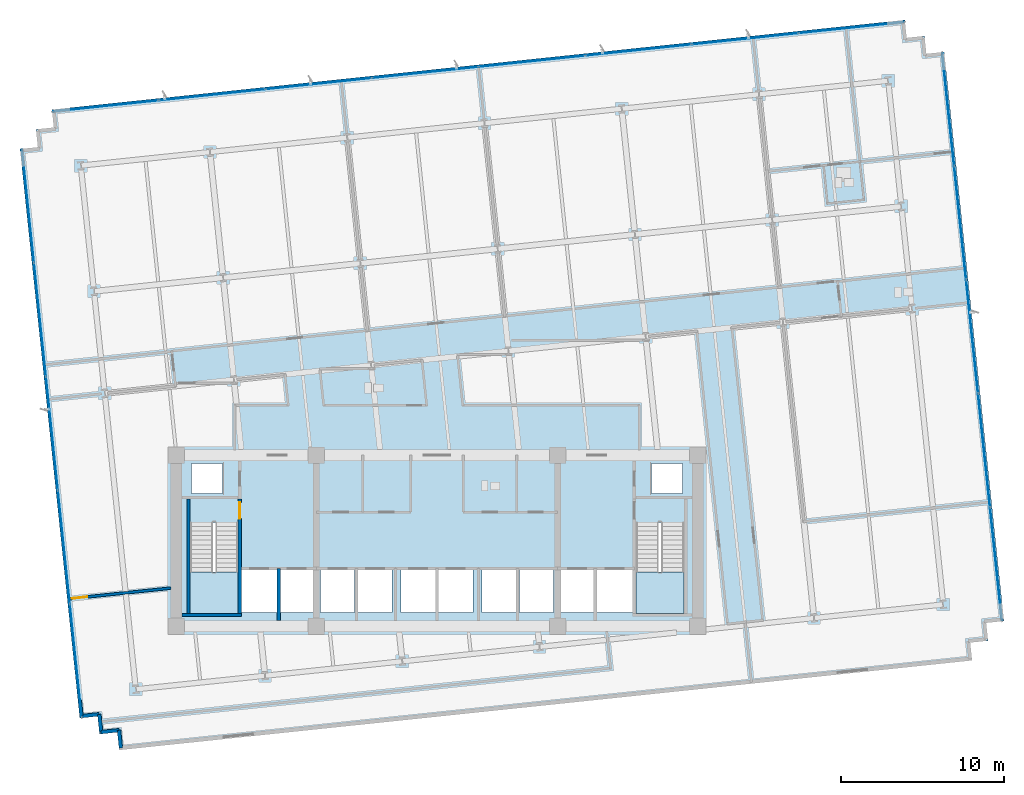
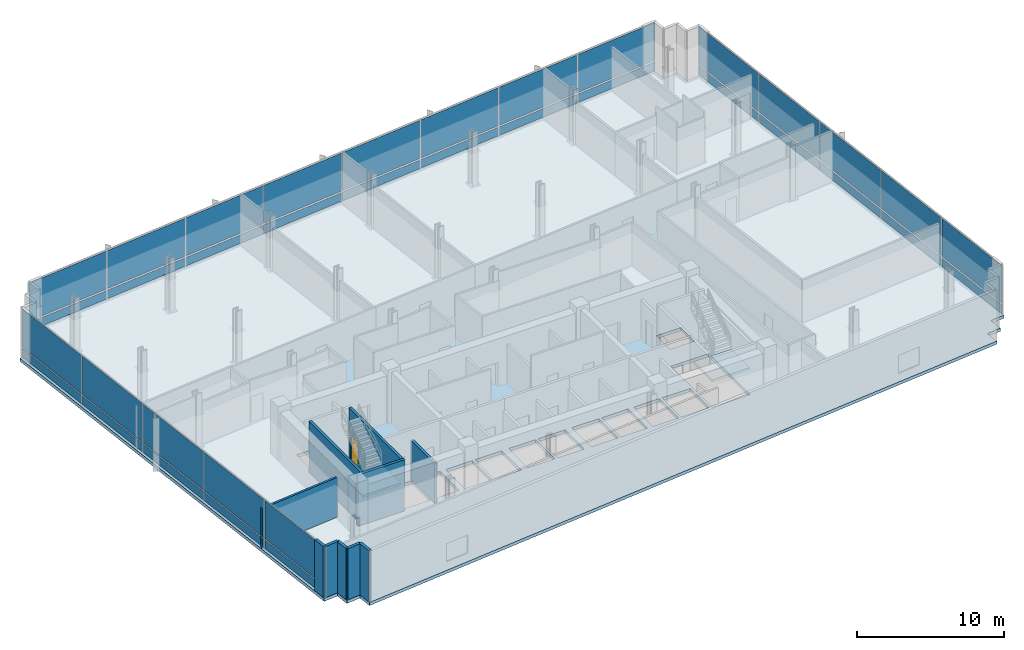
# One storey, part 11 of 20: 36 plates, 10 walls, 3 slabs, 2 doors, 2 openings, 5 elements without a shape of their own.
"""IFC4 building model written with IfcOpenShell, lengths in metres."""

from ifc_helpers import new_model, si_unit, direction, frame, frame_2d, origin, origin_2d, place, context, subcontext, project, spatial, polyline, rectangle, outline, extrude, material, layer, layer_set, type_object, element, fill, aggregate, save


model = new_model("IFC4")

# Units and contexts
model_context = context("Model", 3, precision=1e-05, world=origin(), true_north=direction((0.0, 1.0)))
body_context = subcontext(model_context, "Body", "Model", "MODEL_VIEW")
ifc_project = project(units=[si_unit("LENGTHUNIT", "METRE"), si_unit("AREAUNIT", "SQUARE_METRE"), si_unit("VOLUMEUNIT", "CUBIC_METRE"), si_unit("PLANEANGLEUNIT", "RADIAN"), si_unit("MASSUNIT", "GRAM", prefix="KILO")], contexts=[model_context])

# Site, building, storey
site_placement = place(None, origin())
site = spatial("IfcSite", under=ifc_project, at=site_placement, CompositionType="ELEMENT")
building_placement = place(site_placement, origin())
building = spatial("IfcBuilding", under=site, at=building_placement, Name="Solmavex Isthmus Hotel", CompositionType="ELEMENT")
storey_placement = place(building_placement, frame((0.0, 0.0, 101.85009765625)))
storey = spatial("IfcBuildingStorey", under=building, at=storey_placement, Name="L27", CompositionType="ELEMENT", Elevation=101.85009765625)

# Curtain wall, plates
ifc_material_1 = material(Name="Aluminium alloy 6063-T6", Category="aluminium")
curtain_wall_type = type_object("IfcCurtainWallType", Name="CW-SYS-05", PredefinedType="NOTDEFINED", material=ifc_material_1)
curtain_wall_1_placement = place(storey_placement, origin())
curtain_wall_1 = element("IfcCurtainWall", 1, at=curtain_wall_1_placement, inside=storey, type_object=curtain_wall_type, Name="Stick Curtain Wall CWL-L27-N1", PredefinedType="NOTDEFINED")
ifc_material_2 = material(Name="Clear low-E laminated glass", Category="glass")
ifc_layer_1 = layer(ifc_material_2, 0.0380859375)
ifc_layer_set_1 = layer_set([ifc_layer_1], Name="Clear low-E laminated glass")
plate_type = type_object("IfcPlateType", Name="CW-SYS-05-PNL", PredefinedType="CURTAIN_PANEL", material=ifc_layer_set_1)
plate_1_placement = place(storey_placement, frame((-20.322265625, 18.918701171875, 0.125), z_axis=(0.0, 0.0, 1.0), x_axis=(0.994521909182, 0.104528331835, 0.0)))
plate_1 = element("IfcPlate", 2, at=plate_1_placement, type_object=plate_type, Name="CW-05 panel 1.1", PredefinedType="CURTAIN_PANEL", context=body_context, shape_type="SweptSolid", body=[
    extrude(rectangle(XDim=6.4775390625, YDim=0.0380859375, at=origin_2d()), origin(), (0.0, 0.0, 1.0), 0.71240234375),
])
plate_2_placement = place(storey_placement, frame((-20.322265625, 18.918701171875, 0.96240234375), z_axis=(0.0, 0.0, 1.0), x_axis=(0.994521909182, 0.104528331835, 0.0)))
plate_2 = element("IfcPlate", 3, at=plate_2_placement, type_object=plate_type, Name="CW-05 panel 1.2", PredefinedType="CURTAIN_PANEL", context=body_context, shape_type="SweptSolid", body=[
    extrude(rectangle(XDim=6.4775390625, YDim=0.0380859375, at=origin_2d()), origin(), (0.0, 0.0, 1.0), 3.152587890625),
])
plate_3_placement = place(storey_placement, frame((-13.79931640625, 19.604248046875, 0.125), z_axis=(0.0, 0.0, 1.0), x_axis=(0.994521909182, 0.104528331835, 0.0)))
plate_3 = element("IfcPlate", 4, at=plate_3_placement, type_object=plate_type, Name="CW-05 panel 2.1", PredefinedType="CURTAIN_PANEL", context=body_context, shape_type="SweptSolid", body=[
    extrude(rectangle(XDim=6.510009765625, YDim=0.0380859375, at=origin_2d()), origin(), (0.0, 0.0, 1.0), 0.71240234375),
])
plate_4_placement = place(storey_placement, frame((-13.79931640625, 19.604248046875, 0.96240234375), z_axis=(0.0, 0.0, 1.0), x_axis=(0.994521909182, 0.104528331835, 0.0)))
plate_4 = element("IfcPlate", 5, at=plate_4_placement, type_object=plate_type, Name="CW-05 panel 2.2", PredefinedType="CURTAIN_PANEL", context=body_context, shape_type="SweptSolid", body=[
    extrude(rectangle(XDim=6.510009765625, YDim=0.0380859375, at=origin_2d()), origin(), (0.0, 0.0, 1.0), 3.152587890625),
])
plate_5_placement = place(storey_placement, frame((-7.26025390625, 20.29150390625, 0.125), z_axis=(0.0, 0.0, 1.0), x_axis=(0.994521909182, 0.104528331835, 0.0)))
plate_5 = element("IfcPlate", 6, at=plate_5_placement, type_object=plate_type, Name="CW-05 panel 3.1", PredefinedType="CURTAIN_PANEL", context=body_context, shape_type="SweptSolid", body=[
    extrude(rectangle(XDim=6.510009765625, YDim=0.0380859375, at=origin_2d()), origin(), (0.0, 0.0, 1.0), 0.71240234375),
])
plate_6_placement = place(storey_placement, frame((-7.26025390625, 20.29150390625, 0.96240234375), z_axis=(0.0, 0.0, 1.0), x_axis=(0.994521909182, 0.104528331835, 0.0)))
plate_6 = element("IfcPlate", 7, at=plate_6_placement, type_object=plate_type, Name="CW-05 panel 3.2", PredefinedType="CURTAIN_PANEL", context=body_context, shape_type="SweptSolid", body=[
    extrude(rectangle(XDim=6.510009765625, YDim=0.0380859375, at=origin_2d()), origin(), (0.0, 0.0, 1.0), 3.152587890625),
])
plate_7_placement = place(storey_placement, frame((-0.721435546875, 20.978759765625, 0.125), z_axis=(0.0, 0.0, 1.0), x_axis=(0.994521909182, 0.104528331835, 0.0)))
plate_7 = element("IfcPlate", 8, at=plate_7_placement, type_object=plate_type, Name="CW-05 panel 4.1", PredefinedType="CURTAIN_PANEL", context=body_context, shape_type="SweptSolid", body=[
    extrude(rectangle(XDim=6.510009765625, YDim=0.0380859375, at=origin_2d()), origin(), (0.0, 0.0, 1.0), 0.71240234375),
])
plate_8_placement = place(storey_placement, frame((-0.721435546875, 20.978759765625, 0.96240234375), z_axis=(0.0, 0.0, 1.0), x_axis=(0.994521909182, 0.104528331835, 0.0)))
plate_8 = element("IfcPlate", 9, at=plate_8_placement, type_object=plate_type, Name="CW-05 panel 4.2", PredefinedType="CURTAIN_PANEL", context=body_context, shape_type="SweptSolid", body=[
    extrude(rectangle(XDim=6.510009765625, YDim=0.0380859375, at=origin_2d()), origin(), (0.0, 0.0, 1.0), 3.152587890625),
])
plate_9_placement = place(storey_placement, frame((5.817626953125, 21.666015625, 0.125), z_axis=(0.0, 0.0, 1.0), x_axis=(0.994521909182, 0.104528331835, 0.0)))
plate_9 = element("IfcPlate", 10, at=plate_9_placement, type_object=plate_type, Name="CW-05 panel 5.1", PredefinedType="CURTAIN_PANEL", context=body_context, shape_type="SweptSolid", body=[
    extrude(rectangle(XDim=6.510009765625, YDim=0.0380859375, at=origin_2d()), origin(), (0.0, 0.0, 1.0), 0.71240234375),
])
plate_10_placement = place(storey_placement, frame((5.817626953125, 21.666015625, 0.96240234375), z_axis=(0.0, 0.0, 1.0), x_axis=(0.994521909182, 0.104528331835, 0.0)))
plate_10 = element("IfcPlate", 11, at=plate_10_placement, type_object=plate_type, Name="CW-05 panel 5.2", PredefinedType="CURTAIN_PANEL", context=body_context, shape_type="SweptSolid", body=[
    extrude(rectangle(XDim=6.510009765625, YDim=0.0380859375, at=origin_2d()), origin(), (0.0, 0.0, 1.0), 3.152587890625),
])
plate_11_placement = place(storey_placement, frame((12.356689453125, 22.353271484375, 0.125), z_axis=(0.0, 0.0, 1.0), x_axis=(0.994521909182, 0.104528331835, 0.0)))
plate_11 = element("IfcPlate", 12, at=plate_11_placement, type_object=plate_type, Name="CW-05 panel 6.1", PredefinedType="CURTAIN_PANEL", context=body_context, shape_type="SweptSolid", body=[
    extrude(rectangle(XDim=6.510009765625, YDim=0.0380859375, at=origin_2d()), origin(), (0.0, 0.0, 1.0), 0.71240234375),
])
plate_12_placement = place(storey_placement, frame((12.356689453125, 22.353271484375, 0.96240234375), z_axis=(0.0, 0.0, 1.0), x_axis=(0.994521909182, 0.104528331835, 0.0)))
plate_12 = element("IfcPlate", 13, at=plate_12_placement, type_object=plate_type, Name="CW-05 panel 6.2", PredefinedType="CURTAIN_PANEL", context=body_context, shape_type="SweptSolid", body=[
    extrude(rectangle(XDim=6.510009765625, YDim=0.0380859375, at=origin_2d()), origin(), (0.0, 0.0, 1.0), 3.152587890625),
])
plate_13_placement = place(storey_placement, frame((18.8955078125, 23.04052734375, 0.125), z_axis=(0.0, 0.0, 1.0), x_axis=(0.994521909182, 0.104528331835, 0.0)))
plate_13 = element("IfcPlate", 14, at=plate_13_placement, type_object=plate_type, Name="CW-05 panel 7.1", PredefinedType="CURTAIN_PANEL", context=body_context, shape_type="SweptSolid", body=[
    extrude(rectangle(XDim=6.510009765625, YDim=0.0380859375, at=origin_2d()), origin(), (0.0, 0.0, 1.0), 0.71240234375),
])
plate_14_placement = place(storey_placement, frame((18.8955078125, 23.04052734375, 0.96240234375), z_axis=(0.0, 0.0, 1.0), x_axis=(0.994521909182, 0.104528331835, 0.0)))
plate_14 = element("IfcPlate", 15, at=plate_14_placement, type_object=plate_type, Name="CW-05 panel 7.2", PredefinedType="CURTAIN_PANEL", context=body_context, shape_type="SweptSolid", body=[
    extrude(rectangle(XDim=6.510009765625, YDim=0.0380859375, at=origin_2d()), origin(), (0.0, 0.0, 1.0), 3.152587890625),
])
plate_15_placement = place(storey_placement, frame((25.41845703125, 23.726318359375, 0.125), z_axis=(0.0, 0.0, 1.0), x_axis=(0.994521909182, 0.104528331835, 0.0)))
plate_15 = element("IfcPlate", 16, at=plate_15_placement, type_object=plate_type, Name="CW-05 panel 8.1", PredefinedType="CURTAIN_PANEL", context=body_context, shape_type="SweptSolid", body=[
    extrude(rectangle(XDim=6.4775390625, YDim=0.0380859375, at=origin_2d()), origin(), (0.0, 0.0, 1.0), 0.71240234375),
])
plate_16_placement = place(storey_placement, frame((25.41845703125, 23.726318359375, 0.96240234375), z_axis=(0.0, 0.0, 1.0), x_axis=(0.994521909182, 0.104528331835, 0.0)))
plate_16 = element("IfcPlate", 17, at=plate_16_placement, type_object=plate_type, Name="CW-05 panel 8.2", PredefinedType="CURTAIN_PANEL", context=body_context, shape_type="SweptSolid", body=[
    extrude(rectangle(XDim=6.4775390625, YDim=0.0380859375, at=origin_2d()), origin(), (0.0, 0.0, 1.0), 3.152587890625),
])
aggregate(curtain_wall_1, [plate_1, plate_2, plate_3, plate_4, plate_5, plate_6, plate_7, plate_8, plate_9, plate_10, plate_11, plate_12, plate_13, plate_14, plate_15, plate_16])

curtain_wall_2_placement = place(storey_placement, origin())
curtain_wall_2 = element("IfcCurtainWall", 18, at=curtain_wall_2_placement, inside=storey, type_object=curtain_wall_type, Name="Stick Curtain Wall CWL-L27-W1", PredefinedType="NOTDEFINED")
plate_17_placement = place(storey_placement, frame((-22.15869140625, -15.113525390625, 0.125), z_axis=(0.0, 0.0, 1.0), x_axis=(-0.104528485381, 0.994521893044, 0.0)))
plate_17 = element("IfcPlate", 19, at=plate_17_placement, type_object=plate_type, Name="CW-05 panel 1.1", PredefinedType="CURTAIN_PANEL", context=body_context, shape_type="SweptSolid", body=[
    extrude(rectangle(XDim=6.922607421875, YDim=0.0380859375, at=origin_2d()), origin(), (0.0, 0.0, 1.0), 0.71240234375),
])
plate_18_placement = place(storey_placement, frame((-22.15869140625, -15.113525390625, 0.96240234375), z_axis=(0.0, 0.0, 1.0), x_axis=(-0.104528485381, 0.994521893044, 0.0)))
plate_18 = element("IfcPlate", 20, at=plate_18_placement, type_object=plate_type, Name="CW-05 panel 1.2", PredefinedType="CURTAIN_PANEL", context=body_context, shape_type="SweptSolid", body=[
    extrude(rectangle(XDim=6.922607421875, YDim=0.0380859375, at=origin_2d()), origin(), (0.0, 0.0, 1.0), 3.152587890625),
])
plate_19_placement = place(storey_placement, frame((-22.890625, -8.14794921875, 0.125), z_axis=(0.0, 0.0, 1.0), x_axis=(-0.104528485381, 0.994521893044, 0.0)))
plate_19 = element("IfcPlate", 21, at=plate_19_placement, type_object=plate_type, Name="CW-05 panel 2.1", PredefinedType="CURTAIN_PANEL", context=body_context, shape_type="SweptSolid", body=[
    extrude(rectangle(XDim=6.955078125, YDim=0.0380859375, at=origin_2d()), origin(), (0.0, 0.0, 1.0), 0.71240234375),
])
plate_20_placement = place(storey_placement, frame((-22.890625, -8.14794921875, 0.96240234375), z_axis=(0.0, 0.0, 1.0), x_axis=(-0.104528485381, 0.994521893044, 0.0)))
plate_20 = element("IfcPlate", 22, at=plate_20_placement, type_object=plate_type, Name="CW-05 panel 2.2", PredefinedType="CURTAIN_PANEL", context=body_context, shape_type="SweptSolid", body=[
    extrude(rectangle(XDim=6.955078125, YDim=0.0380859375, at=origin_2d()), origin(), (0.0, 0.0, 1.0), 3.152587890625),
])
plate_21_placement = place(storey_placement, frame((-23.62451171875, -1.16650390625, 0.125), z_axis=(0.0, 0.0, 1.0), x_axis=(-0.104528485381, 0.994521893044, 0.0)))
plate_21 = element("IfcPlate", 23, at=plate_21_placement, type_object=plate_type, Name="CW-05 panel 3.1", PredefinedType="CURTAIN_PANEL", context=body_context, shape_type="SweptSolid", body=[
    extrude(rectangle(XDim=6.955078125, YDim=0.0380859375, at=origin_2d()), origin(), (0.0, 0.0, 1.0), 0.71240234375),
])
plate_22_placement = place(storey_placement, frame((-23.62451171875, -1.16650390625, 0.96240234375), z_axis=(0.0, 0.0, 1.0), x_axis=(-0.104528485381, 0.994521893044, 0.0)))
plate_22 = element("IfcPlate", 24, at=plate_22_placement, type_object=plate_type, Name="CW-05 panel 3.2", PredefinedType="CURTAIN_PANEL", context=body_context, shape_type="SweptSolid", body=[
    extrude(rectangle(XDim=6.955078125, YDim=0.0380859375, at=origin_2d()), origin(), (0.0, 0.0, 1.0), 3.152587890625),
])
plate_23_placement = place(storey_placement, frame((-24.3583984375, 5.81494140625, 0.125), z_axis=(0.0, 0.0, 1.0), x_axis=(-0.104528485381, 0.994521893044, 0.0)))
plate_23 = element("IfcPlate", 25, at=plate_23_placement, type_object=plate_type, Name="CW-05 panel 4.1", PredefinedType="CURTAIN_PANEL", context=body_context, shape_type="SweptSolid", body=[
    extrude(rectangle(XDim=6.955078125, YDim=0.0380859375, at=origin_2d()), origin(), (0.0, 0.0, 1.0), 0.71240234375),
])
plate_24_placement = place(storey_placement, frame((-24.3583984375, 5.81494140625, 0.96240234375), z_axis=(0.0, 0.0, 1.0), x_axis=(-0.104528485381, 0.994521893044, 0.0)))
plate_24 = element("IfcPlate", 26, at=plate_24_placement, type_object=plate_type, Name="CW-05 panel 4.2", PredefinedType="CURTAIN_PANEL", context=body_context, shape_type="SweptSolid", body=[
    extrude(rectangle(XDim=6.955078125, YDim=0.0380859375, at=origin_2d()), origin(), (0.0, 0.0, 1.0), 3.152587890625),
])
plate_25_placement = place(storey_placement, frame((-25.09033203125, 12.780517578125, 0.125), z_axis=(0.0, 0.0, 1.0), x_axis=(-0.104528485381, 0.994521893044, 0.0)))
plate_25 = element("IfcPlate", 27, at=plate_25_placement, type_object=plate_type, Name="CW-05 panel 5.1", PredefinedType="CURTAIN_PANEL", context=body_context, shape_type="SweptSolid", body=[
    extrude(rectangle(XDim=6.922607421875, YDim=0.0380859375, at=origin_2d()), origin(), (0.0, 0.0, 1.0), 0.71240234375),
])
plate_26_placement = place(storey_placement, frame((-25.09033203125, 12.780517578125, 0.96240234375), z_axis=(0.0, 0.0, 1.0), x_axis=(-0.104528485381, 0.994521893044, 0.0)))
plate_26 = element("IfcPlate", 28, at=plate_26_placement, type_object=plate_type, Name="CW-05 panel 5.2", PredefinedType="CURTAIN_PANEL", context=body_context, shape_type="SweptSolid", body=[
    extrude(rectangle(XDim=6.922607421875, YDim=0.0380859375, at=origin_2d()), origin(), (0.0, 0.0, 1.0), 3.152587890625),
])
aggregate(curtain_wall_2, [plate_17, plate_18, plate_19, plate_20, plate_21, plate_22, plate_23, plate_24, plate_25, plate_26])

curtain_wall_3_placement = place(storey_placement, origin())
curtain_wall_3 = element("IfcCurtainWall", 29, at=curtain_wall_3_placement, inside=storey, type_object=curtain_wall_type, Name="Stick Curtain Wall CWL-L27-E1", PredefinedType="NOTDEFINED")
plate_27_placement = place(storey_placement, frame((34.29052734375, -9.180419921875, 0.125), z_axis=(0.0, 0.0, 1.0), x_axis=(-0.104528485381, 0.994521893044, 0.0)))
plate_27 = element("IfcPlate", 30, at=plate_27_placement, type_object=plate_type, Name="CW-05 panel 1.1", PredefinedType="CURTAIN_PANEL", context=body_context, shape_type="SweptSolid", body=[
    extrude(rectangle(XDim=6.922607421875, YDim=0.0380859375, at=origin_2d()), origin(), (0.0, 0.0, 1.0), 0.71240234375),
])
plate_28_placement = place(storey_placement, frame((34.29052734375, -9.180419921875, 0.96240234375), z_axis=(0.0, 0.0, 1.0), x_axis=(-0.104528485381, 0.994521893044, 0.0)))
plate_28 = element("IfcPlate", 31, at=plate_28_placement, type_object=plate_type, Name="CW-05 panel 1.2", PredefinedType="CURTAIN_PANEL", context=body_context, shape_type="SweptSolid", body=[
    extrude(rectangle(XDim=6.922607421875, YDim=0.0380859375, at=origin_2d()), origin(), (0.0, 0.0, 1.0), 3.152587890625),
])
plate_29_placement = place(storey_placement, frame((33.558349609375, -2.215087890625, 0.125), z_axis=(0.0, 0.0, 1.0), x_axis=(-0.104528485381, 0.994521893044, 0.0)))
plate_29 = element("IfcPlate", 32, at=plate_29_placement, type_object=plate_type, Name="CW-05 panel 2.1", PredefinedType="CURTAIN_PANEL", context=body_context, shape_type="SweptSolid", body=[
    extrude(rectangle(XDim=6.955078125, YDim=0.0380859375, at=origin_2d()), origin(), (0.0, 0.0, 1.0), 0.71240234375),
])
plate_30_placement = place(storey_placement, frame((33.558349609375, -2.215087890625, 0.96240234375), z_axis=(0.0, 0.0, 1.0), x_axis=(-0.104528485381, 0.994521893044, 0.0)))
plate_30 = element("IfcPlate", 33, at=plate_30_placement, type_object=plate_type, Name="CW-05 panel 2.2", PredefinedType="CURTAIN_PANEL", context=body_context, shape_type="SweptSolid", body=[
    extrude(rectangle(XDim=6.955078125, YDim=0.0380859375, at=origin_2d()), origin(), (0.0, 0.0, 1.0), 3.152587890625),
])
plate_31_placement = place(storey_placement, frame((32.824462890625, 4.7666015625, 0.125), z_axis=(0.0, 0.0, 1.0), x_axis=(-0.104528485381, 0.994521893044, 0.0)))
plate_31 = element("IfcPlate", 34, at=plate_31_placement, type_object=plate_type, Name="CW-05 panel 3.1", PredefinedType="CURTAIN_PANEL", context=body_context, shape_type="SweptSolid", body=[
    extrude(rectangle(XDim=6.955078125, YDim=0.0380859375, at=origin_2d()), origin(), (0.0, 0.0, 1.0), 0.71240234375),
])
plate_32_placement = place(storey_placement, frame((32.824462890625, 4.7666015625, 0.96240234375), z_axis=(0.0, 0.0, 1.0), x_axis=(-0.104528485381, 0.994521893044, 0.0)))
plate_32 = element("IfcPlate", 35, at=plate_32_placement, type_object=plate_type, Name="CW-05 panel 3.2", PredefinedType="CURTAIN_PANEL", context=body_context, shape_type="SweptSolid", body=[
    extrude(rectangle(XDim=6.955078125, YDim=0.0380859375, at=origin_2d()), origin(), (0.0, 0.0, 1.0), 3.152587890625),
])
plate_33_placement = place(storey_placement, frame((32.0908203125, 11.748046875, 0.125), z_axis=(0.0, 0.0, 1.0), x_axis=(-0.104528485381, 0.994521893044, 0.0)))
plate_33 = element("IfcPlate", 36, at=plate_33_placement, type_object=plate_type, Name="CW-05 panel 4.1", PredefinedType="CURTAIN_PANEL", context=body_context, shape_type="SweptSolid", body=[
    extrude(rectangle(XDim=6.955078125, YDim=0.0380859375, at=origin_2d()), origin(), (0.0, 0.0, 1.0), 0.71240234375),
])
plate_34_placement = place(storey_placement, frame((32.0908203125, 11.748046875, 0.96240234375), z_axis=(0.0, 0.0, 1.0), x_axis=(-0.104528485381, 0.994521893044, 0.0)))
plate_34 = element("IfcPlate", 37, at=plate_34_placement, type_object=plate_type, Name="CW-05 panel 4.2", PredefinedType="CURTAIN_PANEL", context=body_context, shape_type="SweptSolid", body=[
    extrude(rectangle(XDim=6.955078125, YDim=0.0380859375, at=origin_2d()), origin(), (0.0, 0.0, 1.0), 3.152587890625),
])
plate_35_placement = place(storey_placement, frame((31.358642578125, 18.71337890625, 0.125), z_axis=(0.0, 0.0, 1.0), x_axis=(-0.104528485381, 0.994521893044, 0.0)))
plate_35 = element("IfcPlate", 38, at=plate_35_placement, type_object=plate_type, Name="CW-05 panel 5.1", PredefinedType="CURTAIN_PANEL", context=body_context, shape_type="SweptSolid", body=[
    extrude(rectangle(XDim=6.922607421875, YDim=0.0380859375, at=origin_2d()), origin(), (0.0, 0.0, 1.0), 0.71240234375),
])
plate_36_placement = place(storey_placement, frame((31.358642578125, 18.71337890625, 0.96240234375), z_axis=(0.0, 0.0, 1.0), x_axis=(-0.104528485381, 0.994521893044, 0.0)))
plate_36 = element("IfcPlate", 39, at=plate_36_placement, type_object=plate_type, Name="CW-05 panel 5.2", PredefinedType="CURTAIN_PANEL", context=body_context, shape_type="SweptSolid", body=[
    extrude(rectangle(XDim=6.922607421875, YDim=0.0380859375, at=origin_2d()), origin(), (0.0, 0.0, 1.0), 3.152587890625),
])
aggregate(curtain_wall_3, [plate_27, plate_28, plate_29, plate_30, plate_31, plate_32, plate_33, plate_34, plate_35, plate_36])

# Slab
ifc_material_3 = material(Name="Concrete C40/50", Category="concrete")
ifc_layer_2 = layer(ifc_material_3, 0.260009765625)
ifc_layer_set_2 = layer_set([ifc_layer_2], Name="Concrete C40/50")
slab_type_1 = type_object("IfcSlabType", Name="SLAB-TYP-260", PredefinedType="FLOOR", material=ifc_layer_set_2)
slab_1_placement = place(storey_placement, frame((0.0, 0.0, -0.260009765625)))
element("IfcSlab", 40, at=slab_1_placement, inside=storey, type_object=slab_type_1, Name="Tower Structural Floor Slab L27", PredefinedType="FLOOR", context=body_context, shape_type="SweptSolid", body=[
    extrude(outline(polyline([(-18.3974609375, -20.475830078125), (31.726318359375, -15.207763671875), (32.8203125, -15.0927734375), (32.705322265625, -13.998779296875), (33.79931640625, -13.8837890625), (33.684326171875, -12.789794921875), (34.7783203125, -12.6748046875), (34.663330078125, -11.580810546875), (31.224365234375, 21.138916015625), (31.109375, 22.23291015625), (30.015380859375, 22.117919921875), (29.900390625, 23.2119140625), (28.806396484375, 23.096923828125), (28.69140625, 24.19091796875), (27.597412109375, 24.075927734375), (-22.5263671875, 18.8076171875), (-23.620361328125, 18.692626953125), (-23.50537109375, 17.5986328125), (-24.599365234375, 17.483642578125), (-24.484375, 16.389892578125), (-25.578369140625, 16.27490234375), (-25.46337890625, 15.180908203125), (-22.0244140625, -17.5390625), (-21.909423828125, -18.6328125), (-20.8154296875, -18.517822265625), (-20.700439453125, -19.61181640625), (-19.6064453125, -19.496826171875), (-19.491455078125, -20.5908203125), (-18.3974609375, -20.475830078125)]), holes=[polyline([(-15.14990234375, -6.617919921875), (-15.14990234375, -12.199951171875), (-12.199951171875, -12.199951171875), (-12.199951171875, -6.617919921875), (-15.14990234375, -6.617919921875)]), polyline([(12.199951171875, -6.617919921875), (12.199951171875, -12.199951171875), (15.14990234375, -12.199951171875), (15.14990234375, -6.617919921875), (12.199951171875, -6.617919921875)]), polyline([(-12.0, -12.14990234375), (-9.800048828125, -12.14990234375), (-9.800048828125, -9.550048828125), (-12.0, -9.550048828125), (-12.0, -12.14990234375)]), polyline([(9.800048828125, -12.14990234375), (12.0, -12.14990234375), (12.0, -9.550048828125), (9.800048828125, -9.550048828125), (9.800048828125, -12.14990234375)]), polyline([(-9.60009765625, -12.14990234375), (-7.60009765625, -12.14990234375), (-7.60009765625, -9.550048828125), (-9.60009765625, -9.550048828125), (-9.60009765625, -12.14990234375)]), polyline([(7.60009765625, -12.14990234375), (9.60009765625, -12.14990234375), (9.60009765625, -9.550048828125), (7.60009765625, -9.550048828125), (7.60009765625, -12.14990234375)]), polyline([(-7.14990234375, -12.14990234375), (-5.050048828125, -12.14990234375), (-5.050048828125, -9.550048828125), (-7.14990234375, -9.550048828125), (-7.14990234375, -12.14990234375)]), polyline([(-4.85009765625, -12.14990234375), (-2.75, -12.14990234375), (-2.75, -9.550048828125), (-4.85009765625, -9.550048828125), (-4.85009765625, -12.14990234375)]), polyline([(-2.199951171875, -12.14990234375), (-0.10009765625, -12.14990234375), (-0.10009765625, -9.550048828125), (-2.199951171875, -9.550048828125), (-2.199951171875, -12.14990234375)]), polyline([(0.10009765625, -12.14990234375), (2.199951171875, -12.14990234375), (2.199951171875, -9.550048828125), (0.10009765625, -9.550048828125), (0.10009765625, -12.14990234375)]), polyline([(2.75, -12.14990234375), (4.85009765625, -12.14990234375), (4.85009765625, -9.550048828125), (2.75, -9.550048828125), (2.75, -12.14990234375)]), polyline([(5.050048828125, -12.14990234375), (7.14990234375, -12.14990234375), (7.14990234375, -9.550048828125), (5.050048828125, -9.550048828125), (5.050048828125, -12.14990234375)]), polyline([(-15.050048828125, -4.85009765625), (-13.14990234375, -4.85009765625), (-13.14990234375, -3.0), (-15.050048828125, -3.0), (-15.050048828125, -4.85009765625)]), polyline([(13.14990234375, -4.85009765625), (15.050048828125, -4.85009765625), (15.050048828125, -3.0), (13.14990234375, -3.0), (13.14990234375, -4.85009765625)])]), origin(), (0.0, 0.0, 1.0), 0.260009765625),
])

# Stair, slab
stair_type_1 = type_object("IfcStairType", Name="STR-ST-1", PredefinedType="HALF_TURN_STAIR", material=ifc_material_3)
stair_1_placement = place(storey_placement, origin())
stair_1 = element("IfcStair", 41, at=stair_1_placement, inside=storey, type_object=stair_type_1, Name="L27 Protected Exit Stair ST-1", PredefinedType="HALF_TURN_STAIR")
ifc_layer_3 = layer(ifc_material_3, 0.219970703125)
ifc_layer_set_3 = layer_set([ifc_layer_3], Name="Concrete C40/50")
slab_type_2 = type_object("IfcSlabType", Name="SLD-ST-1", PredefinedType="LANDING", material=ifc_layer_set_3)
slab_2_placement = place(storey_placement, frame((0.0, 0.0, 2.0498046875)))
slab_2 = element("IfcSlab", 42, at=slab_2_placement, type_object=slab_type_2, Name="ST-1 landing 1", PredefinedType="LANDING", context=body_context, shape_type="SweptSolid", body=[
    extrude(outline(polyline([(-15.14990234375, -9.679931640625), (-15.14990234375, -12.199951171875), (-12.199951171875, -12.199951171875), (-12.199951171875, -9.679931640625), (-15.14990234375, -9.679931640625)])), origin(), (0.0, 0.0, 1.0), 0.2001953125),
])
aggregate(stair_1, [slab_2])

stair_type_2 = type_object("IfcStairType", Name="STR-ST-2", PredefinedType="HALF_TURN_STAIR", material=ifc_material_3)
stair_2_placement = place(storey_placement, origin())
stair_2 = element("IfcStair", 43, at=stair_2_placement, inside=storey, type_object=stair_type_2, Name="L27 Protected Exit Stair ST-2", PredefinedType="HALF_TURN_STAIR")
ifc_layer_4 = layer(ifc_material_3, 0.219970703125)
ifc_layer_set_4 = layer_set([ifc_layer_4], Name="Concrete C40/50")
slab_type_3 = type_object("IfcSlabType", Name="SLD-ST-2", PredefinedType="LANDING", material=ifc_layer_set_4)
slab_3_placement = place(storey_placement, frame((0.0, 0.0, 2.0498046875)))
slab_3 = element("IfcSlab", 44, at=slab_3_placement, type_object=slab_type_3, Name="ST-2 landing 1", PredefinedType="LANDING", context=body_context, shape_type="SweptSolid", body=[
    extrude(outline(polyline([(12.199951171875, -9.679931640625), (12.199951171875, -12.199951171875), (15.14990234375, -12.199951171875), (15.14990234375, -9.679931640625), (12.199951171875, -9.679931640625)])), origin(), (0.0, 0.0, 1.0), 0.2001953125),
])
aggregate(stair_2, [slab_3])

# Walls
ifc_material_4 = material(Name="Precast Concrete C40/50", Category="concrete")
ifc_layer_5 = layer(ifc_material_4, 0.25)
ifc_layer_set_5 = layer_set([ifc_layer_5], Name="Precast Concrete C40/50")
wall_type_1 = type_object("IfcWallType", Name="EW-TWR-250", PredefinedType="STANDARD", material=ifc_layer_set_5)
for number, where, z_axis, x_axis, name in (
    (45, (-19.3935546875, -20.469970703125, 0.0), (0.0, 0.0, 1.0), (-0.104534592565, 0.994521251134, 0.0), "Serrated Corner Facade Panel L27-01"),
    (46, (-19.508544921875, -19.3759765625, 0.0), (0.0, 0.0, 1.0), (-0.994521251134, -0.104534592565, 0.0), "Serrated Corner Facade Panel L27-02"),
    (47, (-20.6025390625, -19.490966796875, 0.0), (0.0, 0.0, 1.0), (-0.104534592565, 0.994521251134, 0.0), "Serrated Corner Facade Panel L27-03"),
    (48, (-20.717529296875, -18.39697265625, 0.0), (0.0, 0.0, 1.0), (-0.994521251134, -0.104534592565, 0.0), "Serrated Corner Facade Panel L27-04"),
):
    element("IfcWall", number, at=place(storey_placement, frame(where, z_axis=z_axis, x_axis=x_axis)), inside=storey, type_object=wall_type_1, Name=name, PredefinedType="STANDARD", context=body_context, shape_type="SweptSolid", body=[
        extrude(rectangle(XDim=1.10009765625, YDim=0.219970703125, at=frame_2d((0.550048828125, 0.0))), origin(), (0.0, 0.0, 1.0), 4.239990234375),
    ])
wall_1_placement = place(storey_placement, frame((-21.8115234375, -18.511962890625, 0.0), z_axis=(0.0, 0.0, 1.0), x_axis=(-0.104556418955, 0.99451895671, 0.0)))
element("IfcWall", 49, at=wall_1_placement, inside=storey, type_object=wall_type_1, Name="Serrated Corner Facade Panel L27-05", PredefinedType="STANDARD", context=body_context, shape_type="SweptSolid", body=[
    extrude(rectangle(XDim=0.989990234375, YDim=0.219970703125, at=frame_2d((0.4951171875, 0.0))), origin(), (0.0, 0.0, 1.0), 4.239990234375),
])

# Wall, opening, door
ifc_material_5 = material(Name="Gypsum plasterboard lining", Category="gypsum")
ifc_layer_6 = layer(ifc_material_5, 0.159912109375)
ifc_layer_set_6 = layer_set([ifc_layer_6], Name="Gypsum plasterboard lining")
wall_type_2 = type_object("IfcWallType", Name="IW-COMP-160", PredefinedType="PARTITIONING", material=ifc_layer_set_6)
wall_2_placement = place(storey_placement, frame((-16.310302734375, -10.654052734375, 0.0), z_axis=(0.0, 0.0, 1.0), x_axis=(-0.994521733109, -0.104530007048, 0.0)))
wall_2 = element("IfcWall", 50, at=wall_2_placement, inside=storey, type_object=wall_type_2, Name="Interior Partition Wall W-L27-P052", PredefinedType="PARTITIONING", context=body_context, shape_type="SweptSolid", body=[
    extrude(rectangle(XDim=6.322509765625, YDim=0.159912109375, at=frame_2d((3.1611328125, 0.0))), origin(), (0.0, 0.0, 1.0), 3.27490234375),
])
opening_1_placement = place(wall_2_placement, frame((5.16259765625, 0.0, 0.0)))
opening_1 = element("IfcOpeningElement", 51, at=opening_1_placement, cuts=wall_2, Name="Opening ID-C095", PredefinedType="OPENING", context=body_context, shape_type="SweptSolid", body=[
    extrude(rectangle(XDim=0.949951171875, YDim=2.14990234375, at=frame_2d((0.47509765625, 1.074951171875))), frame((0.0, 0.08984375, 0.0), z_axis=(0.0, -1.0, 0.0), x_axis=(1.0, 0.0, 0.0)), (0.0, 0.0, 1.0), 0.179931640625),
])
ifc_material_6 = material(Name="Hardwood timber", Category="wood")
door_type_1 = type_object("IfcDoorType", Name="IDR-FD60-0950", OperationType="NOTDEFINED", PredefinedType="DOOR", material=ifc_material_6)
door_1_placement = place(opening_1_placement, frame((0.949951171875, 0.0, 0.0), z_axis=(0.0, 0.0, 1.0), x_axis=(-1.0, 0.0, 0.0)))
door_1 = element("IfcDoor", 52, at=door_1_placement, inside=storey, type_object=door_type_1, Name="Corporate Briefing Office Door L27-13", OperationType="SINGLE_SWING_LEFT", OverallHeight=2.14990234375, OverallWidth=0.949951171875, PredefinedType="DOOR", context=body_context, shape_type="SweptSolid", body=[
    extrude(rectangle(XDim=0.949951171875, YDim=2.14990234375, at=frame_2d((0.47509765625, 1.074951171875))), frame((0.0, 0.02490234375, 0.0), z_axis=(0.0, -1.0, 0.0), x_axis=(1.0, 0.0, 0.0)), (0.0, 0.0, 1.0), 0.050048828125),
])
fill(opening_1, door_1)

# Walls
ifc_layer_7 = layer(ifc_material_3, 0.199951171875)
ifc_layer_set_7 = layer_set([ifc_layer_7], Name="Concrete C40/50")
wall_type_3 = type_object("IfcWallType", Name="IW-SHAFT-200", PredefinedType="PARTITIONING", material=ifc_layer_set_7)
wall_3_placement = place(storey_placement, frame((-9.699951171875, -12.64990234375, 0.0), z_axis=(0.0, 0.0, 1.0), x_axis=(0.0, 1.0, 0.0)))
element("IfcWall", 53, at=wall_3_placement, inside=storey, type_object=wall_type_3, Name="Interior Partition Wall W-L27-FFLW-M", PredefinedType="PARTITIONING", context=body_context, shape_type="SweptSolid", body=[
    extrude(rectangle(XDim=3.199951171875, YDim=0.199951171875, at=frame_2d((1.60009765625, 0.0))), origin(), (0.0, 0.0, 1.0), 3.27490234375),
])
ifc_layer_8 = layer(ifc_material_3, 0.199951171875)
ifc_layer_set_8 = layer_set([ifc_layer_8], Name="Concrete C40/50")
wall_type_4 = type_object("IfcWallType", Name="WALL-SW-200", PredefinedType="SOLIDWALL", material=ifc_layer_set_8)
wall_4_placement = place(storey_placement, frame((-15.64990234375, -12.300048828125, 0.0), z_axis=(0.0, 0.0, 1.0), x_axis=(1.0, 0.0, 0.0)))
element("IfcWall", 54, at=wall_4_placement, inside=storey, type_object=wall_type_4, Name="Stairwell Structural Wall SW-L27-ST1-S", PredefinedType="SOLIDWALL", context=body_context, shape_type="SweptSolid", body=[
    extrude(rectangle(XDim=3.64990234375, YDim=0.199951171875, at=frame_2d((1.824951171875, 0.0))), origin(), (0.0, 0.0, 1.0), 4.239990234375),
])
wall_5_placement = place(storey_placement, frame((-15.25, -12.199951171875, 0.0), z_axis=(0.0, 0.0, 1.0), x_axis=(0.0, 1.0, 0.0)))
element("IfcWall", 55, at=wall_5_placement, inside=storey, type_object=wall_type_4, Name="Stairwell Structural Wall SW-L27-ST1-W", PredefinedType="SOLIDWALL", context=body_context, shape_type="SweptSolid", body=[
    extrude(rectangle(XDim=7.0, YDim=0.199951171875, at=frame_2d((3.5, 0.0))), origin(), (0.0, 0.0, 1.0), 4.239990234375),
])

# Wall, opening, door
wall_6_placement = place(storey_placement, frame((-12.10009765625, -12.199951171875, 0.0), z_axis=(0.0, 0.0, 1.0), x_axis=(0.0, 1.0, 0.0)))
wall_6 = element("IfcWall", 56, at=wall_6_placement, inside=storey, type_object=wall_type_4, Name="Stairwell Structural Wall SW-L27-ST1-E", PredefinedType="SOLIDWALL", context=body_context, shape_type="SweptSolid", body=[
    extrude(rectangle(XDim=7.0, YDim=0.199951171875, at=frame_2d((3.5, 0.0))), origin(), (0.0, 0.0, 1.0), 4.239990234375),
])
opening_2_placement = place(wall_6_placement, frame((5.800048828125, 0.0, 0.0)))
opening_2 = element("IfcOpeningElement", 57, at=opening_2_placement, cuts=wall_6, Name="Opening ID-F100", PredefinedType="OPENING", context=body_context, shape_type="SweptSolid", body=[
    extrude(rectangle(XDim=1.0, YDim=2.10009765625, at=frame_2d((0.5, 1.050048828125))), frame((0.0, 0.10986328125, 0.0), z_axis=(0.0, -1.0, 0.0), x_axis=(1.0, 0.0, 0.0)), (0.0, 0.0, 1.0), 0.219970703125),
])
ifc_material_7 = material(Name="Steel ASTM A500 Grade C", Category="steel")
door_type_2 = type_object("IfcDoorType", Name="IDR-FD90-1000", OperationType="NOTDEFINED", PredefinedType="DOOR", material=ifc_material_7)
door_2_placement = place(opening_2_placement, frame((1.0, 0.0, 0.0), z_axis=(0.0, 0.0, 1.0), x_axis=(-1.0, 0.0, 0.0)))
door_2 = element("IfcDoor", 58, at=door_2_placement, inside=storey, type_object=door_type_2, Name="Stair ST-1 Fire Door L27", OperationType="SINGLE_SWING_LEFT", OverallHeight=2.10009765625, OverallWidth=1.0, PredefinedType="DOOR", context=body_context, shape_type="SweptSolid", body=[
    extrude(rectangle(XDim=1.0, YDim=2.10009765625, at=frame_2d((0.5, 1.050048828125))), frame((0.0, 0.02490234375, 0.0), z_axis=(0.0, -1.0, 0.0), x_axis=(1.0, 0.0, 0.0)), (0.0, 0.0, 1.0), 0.050048828125),
])
fill(opening_2, door_2)

save(model, "model.ifc")
